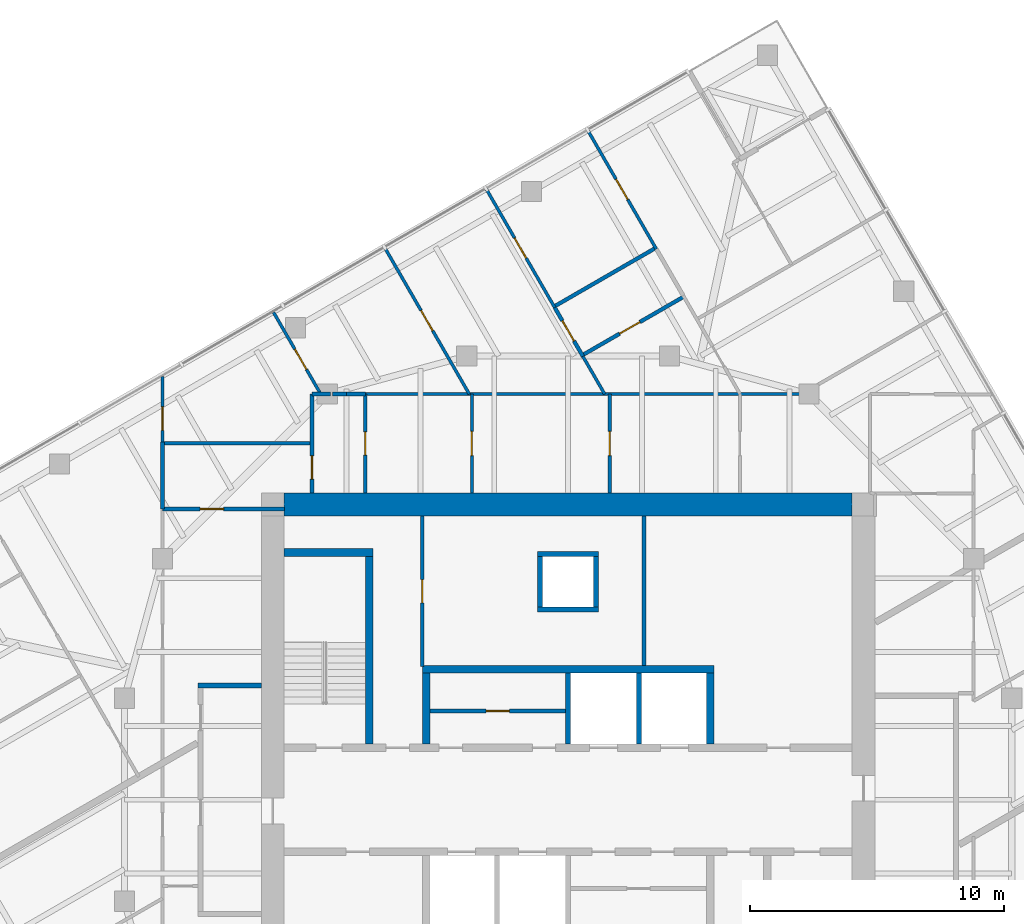
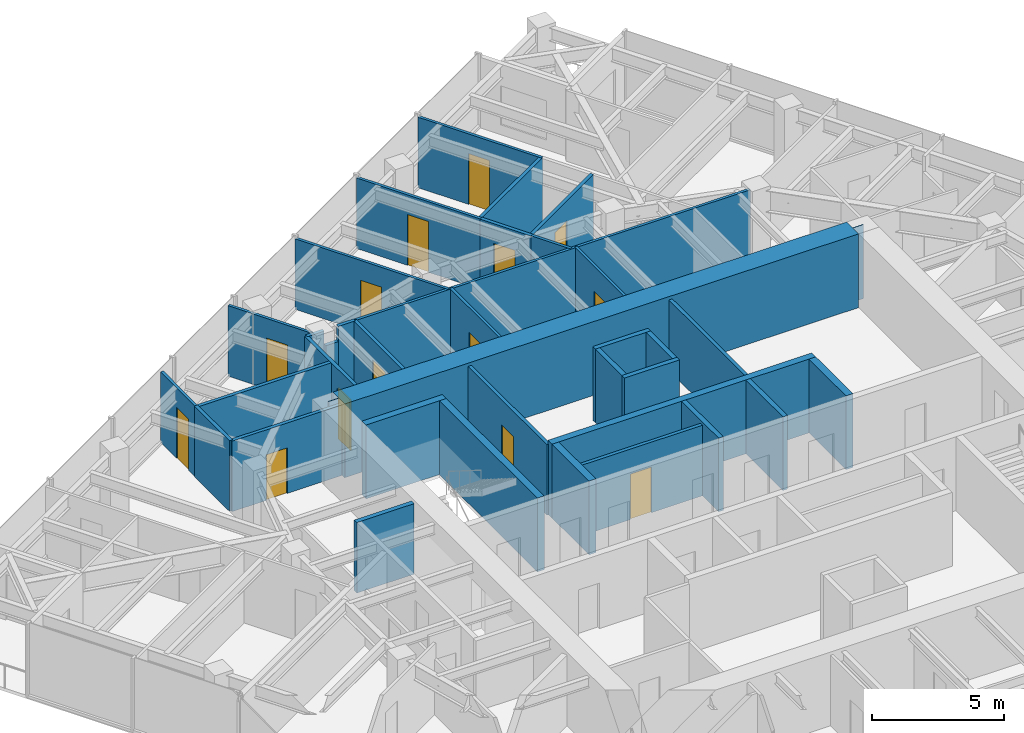
# One storey, part 10 of 12: 36 walls, 14 doors, 14 openings.
"""IFC4 building model written with IfcOpenShell, lengths in metres."""

import ifcopenshell
import ifcopenshell.guid

model = None  # the IFC model being written
_history = None  # IfcOwnerHistory: only IFC2X3 demands one
_inside = {}  # id of a spatial element -> (the spatial element, [elements in it])
_under = {}  # id of a project, library or spatial element -> (it, [spatial elements below it])
_declared = {}  # id of a project -> (the project, [libraries it declares])
_typed = {}  # id of a type object -> (the type object, [elements of that type])
_made_of = {}  # id of a material, layer set ... -> (it, [elements and type objects made of it])


def new_model(schema):
    """Start an empty IFC model of exactly this schema.

    Asked for "IFC4X3", IfcOpenShell would pick the latest addendum, in which some entities
    have other attributes; the version numbers below select the first issue.
    IFC2X3 requires an IfcOwnerHistory on every rooted entity: one is made here for all.
    """
    global model, _history
    if schema == "IFC4X3":
        model = ifcopenshell.file(schema_version=(4, 3, 0, 0))
    else:
        model = ifcopenshell.file(schema=schema)
    _inside.clear()
    _under.clear()
    _declared.clear()
    _typed.clear()
    _made_of.clear()
    _history = None
    if model.schema == "IFC2X3":
        org = make("IfcOrganization", Name="unknown")
        user = make(
            "IfcPersonAndOrganization",
            ThePerson=make("IfcPerson", FamilyName="unknown"),
            TheOrganization=org,
        )
        app = make(
            "IfcApplication",
            ApplicationDeveloper=org,
            Version="unknown",
            ApplicationFullName="unknown",
            ApplicationIdentifier="unknown",
        )
        _history = make(
            "IfcOwnerHistory",
            OwningUser=user,
            OwningApplication=app,
            ChangeAction="ADDED",
            CreationDate=0,
        )
    return model


def make(cls, **values):
    """One entity of the class cls with the attributes given. An attribute that is None is left unset."""
    return model.create_entity(
        cls, **{name: value for name, value in values.items() if value is not None}
    )


def rooted(cls, **values):
    """An entity with a GlobalId (a new one), such as an element, a storey or a relation."""
    return make(cls, GlobalId=ifcopenshell.guid.new(), OwnerHistory=_history, **values)


def si_unit(unit_type, name, prefix=None):
    """IfcSIUnit, for example si_unit("LENGTHUNIT", "METRE", prefix="MILLI")."""
    return make("IfcSIUnit", UnitType=unit_type, Prefix=prefix, Name=name)


def assignment(units):
    """IfcUnitAssignment: the units of a project."""
    return None if units is None else make("IfcUnitAssignment", Units=units)


def point(xyz):
    """IfcCartesianPoint."""
    return None if xyz is None else make("IfcCartesianPoint", Coordinates=xyz)


def direction(xyz):
    """IfcDirection."""
    return None if xyz is None else make("IfcDirection", DirectionRatios=xyz)


def frame(location, z_axis=None, x_axis=None):
    """IfcAxis2Placement3D, a coordinate frame: its origin and axes. An axis left out is left unset."""
    return make(
        "IfcAxis2Placement3D",
        Location=point(location),
        Axis=direction(z_axis),
        RefDirection=direction(x_axis),
    )


def frame_2d(location, x_axis=None):
    """IfcAxis2Placement2D, a coordinate frame in the plane: its origin and x axis."""
    return make(
        "IfcAxis2Placement2D", Location=point(location), RefDirection=direction(x_axis)
    )


def origin():
    """The frame at (0, 0, 0) with its axes left unset."""
    return frame((0.0, 0.0, 0.0))


def place(relative_to, where):
    """IfcLocalPlacement: puts the frame where relative to a parent placement (None: the world)."""
    return make(
        "IfcLocalPlacement", PlacementRelTo=relative_to, RelativePlacement=where
    )


def context(
    kind, dimensions, precision=None, world=None, true_north=None, identifier=None
):
    """IfcGeometricRepresentationContext, for example the 3D "Model" context."""
    return make(
        "IfcGeometricRepresentationContext",
        ContextIdentifier=identifier,
        ContextType=kind,
        CoordinateSpaceDimension=dimensions,
        Precision=precision,
        WorldCoordinateSystem=world,
        TrueNorth=true_north,
    )


def subcontext(parent, identifier, kind, view, scale=None):
    """IfcGeometricRepresentationSubContext, for example "Body" below "Model"."""
    return make(
        "IfcGeometricRepresentationSubContext",
        ContextIdentifier=identifier,
        ContextType=kind,
        ParentContext=parent,
        TargetScale=scale,
        TargetView=view,
    )


def project(units=None, contexts=None):
    """IfcProject with its units and contexts."""
    return rooted(
        "IfcProject",
        Name="project",
        RepresentationContexts=contexts,
        UnitsInContext=assignment(units),
    )


def spatial(cls, under=None, at=None, **own):
    """A site, building, storey or space (cls), placed at a placement, below another one or the project."""
    s = rooted(cls, ObjectPlacement=at, **own)
    if under is not None:
        _under.setdefault(under.id(), (under, []))[1].append(s)
    return s


def polyline(points):
    """IfcPolyline through the points."""
    return make("IfcPolyline", Points=[point(p) for p in points])


def profile(cls, at=None, kind="AREA", **sizes):
    """A parametric profile (cls). Its sizes go by their IFC names, for example OverallWidth=200.0."""
    return make(cls, ProfileType=kind, Position=at, **sizes)


def rectangle(**sizes):
    """IfcRectangleProfileDef."""
    return profile("IfcRectangleProfileDef", **sizes)


def outline(outer, holes=None, kind="AREA"):
    """IfcArbitraryClosedProfileDef: a profile drawn as a closed curve; with holes, ...WithVoids."""
    if holes is None:
        return make("IfcArbitraryClosedProfileDef", ProfileType=kind, OuterCurve=outer)
    return make(
        "IfcArbitraryProfileDefWithVoids",
        ProfileType=kind,
        OuterCurve=outer,
        InnerCurves=holes,
    )


def extrude(swept, where, along, depth):
    """IfcExtrudedAreaSolid: the profile swept, set in the frame where, extruded along a direction by depth."""
    return make(
        "IfcExtrudedAreaSolid",
        SweptArea=swept,
        Position=where,
        ExtrudedDirection=direction(along),
        Depth=depth,
    )


def shape(context_of_items, identifier, shape_type, items):
    """IfcShapeRepresentation: the items that make up one representation, for example the "Body"."""
    return make(
        "IfcShapeRepresentation",
        ContextOfItems=context_of_items,
        RepresentationIdentifier=identifier,
        RepresentationType=shape_type,
        Items=items,
    )


def material(Name=None, Category=None):
    """IfcMaterial."""
    return make("IfcMaterial", Name=Name, Category=Category)


def layer(
    of_material, thickness, ventilated=None, Name=None, Category=None, Priority=None
):
    """IfcMaterialLayer: one layer of a wall or slab, of a material (None: an air gap)."""
    return make(
        "IfcMaterialLayer",
        Material=of_material,
        LayerThickness=thickness,
        IsVentilated=ventilated,
        Name=Name,
        Category=Category,
        Priority=Priority,
    )


def layer_set(layers, Name=None):
    """IfcMaterialLayerSet."""
    return make("IfcMaterialLayerSet", MaterialLayers=layers, LayerSetName=Name)


def made_of(thing, what):
    """Note that an element or type object is made of a material, layer set ...; save() writes the relation."""
    if what is not None:
        _made_of.setdefault(what.id(), (what, []))[1].append(thing)
    return thing


def type_object(cls, material=None, **own):
    """A type object (cls), such as IfcWallType, which elements share."""
    return made_of(rooted(cls, **own), material)


def element(
    cls,
    number,
    at=None,
    inside=None,
    cuts=None,
    type_object=None,
    material=None,
    context=None,
    identifier="Body",
    shape_type=None,
    held_by="IfcProductDefinitionShape",
    body=None,
    shapes=None,
    **own,
):
    """One element of the class cls, such as IfcWall. Its Tag is "e" and its number.

    at: its placement. inside: the storey or other place that contains it. cuts: it is an
    opening in that element (IfcRelVoidsElement). A single representation is given by context,
    identifier, shape_type and body (its items); several are given by shapes. held_by: the class
    of the entity that holds the representations. save() writes the other relations.
    """
    e = rooted(cls, Tag="e%d" % number, ObjectPlacement=at, **own)
    if body is not None:
        shapes = [shape(context, identifier, shape_type, body)]
    if shapes is not None:
        e.Representation = make(held_by, Representations=shapes)
    if inside is not None:
        _inside.setdefault(inside.id(), (inside, []))[1].append(e)
    if cuts is not None:
        rooted(
            "IfcRelVoidsElement", RelatingBuildingElement=cuts, RelatedOpeningElement=e
        )
    if type_object is not None:
        _typed.setdefault(type_object.id(), (type_object, []))[1].append(e)
    return made_of(e, material)


def fill(opening, filler):
    """IfcRelFillsElement: the door or window that sits in an opening."""
    return rooted(
        "IfcRelFillsElement",
        RelatingOpeningElement=opening,
        RelatedBuildingElement=filler,
    )


def aggregate(whole, parts):
    """IfcRelAggregates: a whole, such as a stair, and the parts it consists of."""
    return rooted("IfcRelAggregates", RelatingObject=whole, RelatedObjects=parts)


def save(model, path):
    """Write the relations noted so far, then the file.

    IfcRelAggregates (storeys below a building ...), IfcRelContainedInSpatialStructure (elements
    in a storey), IfcRelDefinesByType, IfcRelAssociatesMaterial and IfcRelDeclares: one each for
    every whole, place, type object, material and project.
    """
    for whole, parts in _under.values():
        aggregate(whole, parts)
    for where, things in _inside.values():
        rooted(
            "IfcRelContainedInSpatialStructure",
            RelatedElements=things,
            RelatingStructure=where,
        )
    for kind, things in _typed.values():
        rooted("IfcRelDefinesByType", RelatedObjects=things, RelatingType=kind)
    for what, things in _made_of.values():
        rooted("IfcRelAssociatesMaterial", RelatedObjects=things, RelatingMaterial=what)
    for by, libraries in _declared.values():
        rooted("IfcRelDeclares", RelatingContext=by, RelatedDefinitions=libraries)
    model.write(path)


model = new_model("IFC4")

# Units and contexts
model_context = context("Model", 3, precision=1e-05, world=origin(), true_north=direction((0.0, 1.0)))
body_context = subcontext(model_context, "Body", "Model", "MODEL_VIEW")
ifc_project = project(units=[si_unit("LENGTHUNIT", "METRE"), si_unit("AREAUNIT", "SQUARE_METRE"), si_unit("VOLUMEUNIT", "CUBIC_METRE"), si_unit("PLANEANGLEUNIT", "RADIAN"), si_unit("MASSUNIT", "GRAM", prefix="KILO")], contexts=[model_context])

# Site, building, storey
site_placement = place(None, origin())
site = spatial("IfcSite", under=ifc_project, at=site_placement, CompositionType="ELEMENT")
building_placement = place(site_placement, origin())
building = spatial("IfcBuilding", under=site, at=building_placement, Name="Torsade Residences", CompositionType="ELEMENT")
storey_placement = place(building_placement, frame((0.0, 0.0, 221.800048828125)))
storey = spatial("IfcBuildingStorey", under=building, at=storey_placement, Name="L61", CompositionType="ELEMENT", Elevation=221.800048828125)

# Walls
ifc_material_1 = material(Name="Concrete 80 MPa", Category="concrete")
ifc_layer_1 = layer(ifc_material_1, 0.300048828125)
ifc_layer_set_1 = layer_set([ifc_layer_1], Name="Concrete 80 MPa")
wall_type_1 = type_object("IfcWallType", Name="CORE INTERNAL WALL 300", PredefinedType="SHEAR", material=ifc_layer_set_1)
wall_1_placement = place(storey_placement, frame((34.25, 35.14990234375, 0.0), z_axis=(0.0, 0.0, 1.0), x_axis=(1.0, 0.0, 0.0)))
element("IfcWall", 1, at=wall_1_placement, inside=storey, type_object=wall_type_1, Name="Core wall BN L61", PredefinedType="SHEAR", context=body_context, shape_type="SweptSolid", body=[
    extrude(rectangle(XDim=11.5, YDim=0.300048828125, at=frame_2d((5.75, 0.0))), origin(), (0.0, 0.0, 1.0), 3.39990234375),
])
for number, where, z_axis, x_axis, name in (
    (2, (34.39990234375, 32.199951171875, 0.0), (0.0, 0.0, 1.0), (0.0, 1.0, 0.0), "Core wall DN0 L61"),
    (3, (45.60009765625, 32.199951171875, 0.0), (0.0, 0.0, 1.0), (0.0, 1.0, 0.0), "Core wall DN4 L61"),
):
    element("IfcWall", number, at=place(storey_placement, frame(where, z_axis=z_axis, x_axis=x_axis)), inside=storey, type_object=wall_type_1, Name=name, PredefinedType="SHEAR", context=body_context, shape_type="SweptSolid", body=[
        extrude(rectangle(XDim=2.800048828125, YDim=0.300048828125, at=frame_2d((1.39990234375, 0.0))), origin(), (0.0, 0.0, 1.0), 3.39990234375),
    ])
wall_2_placement = place(storey_placement, frame((32.14990234375, 32.199951171875, 0.0), z_axis=(0.0, 0.0, 1.0), x_axis=(0.0, 1.0, 0.0)))
element("IfcWall", 4, at=wall_2_placement, inside=storey, type_object=wall_type_1, Name="Core wall ST1E L61", PredefinedType="SHEAR", context=body_context, shape_type="SweptSolid", body=[
    extrude(rectangle(XDim=7.699951171875, YDim=0.300048828125, at=frame_2d((3.85009765625, 0.0))), origin(), (0.0, 0.0, 1.0), 3.39990234375),
])
wall_3_placement = place(storey_placement, frame((28.800048828125, 39.75, 0.0), z_axis=(0.0, 0.0, 1.0), x_axis=(1.0, 0.0, 0.0)))
element("IfcWall", 5, at=wall_3_placement, inside=storey, type_object=wall_type_1, Name="Core wall ST1N L61", PredefinedType="SHEAR", context=body_context, shape_type="SweptSolid", body=[
    extrude(rectangle(XDim=3.5, YDim=0.300048828125, at=frame_2d((1.75, 0.0))), origin(), (0.0, 0.0, 1.0), 3.39990234375),
])
ifc_material_2 = material(Name="Concrete 80 MPa", Category="concrete")
ifc_layer_2 = layer(ifc_material_2, 0.89990234375)
ifc_layer_set_2 = layer_set([ifc_layer_2], Name="Concrete 80 MPa")
wall_type_2 = type_object("IfcWallType", Name="CORE WALL 900", PredefinedType="SHEAR", material=ifc_layer_set_2)
wall_4_placement = place(storey_placement, frame((28.800048828125, 41.64990234375, 0.0), z_axis=(0.0, 0.0, 1.0), x_axis=(1.0, 0.0, 0.0)))
element("IfcWall", 6, at=wall_4_placement, inside=storey, type_object=wall_type_2, Name="Core wall N L61", PredefinedType="SHEAR", context=body_context, shape_type="SweptSolid", body=[
    extrude(outline(polyline([(0.0, -0.449951171875), (22.39990234375, -0.449951171875), (22.39990234375, -0.02490234375), (22.849853515625, -0.02490234375), (22.849853515625, 0.02490234375), (22.39990234375, 0.02490234375), (22.39990234375, 0.449951171875), (0.0, 0.449951171875), (0.0, 0.02490234375), (-0.449951171875, 0.02490234375), (-0.449951171875, -0.02490234375), (0.0, -0.02490234375), (0.0, -0.449951171875)])), origin(), (0.0, 0.0, 1.0), 3.39990234375),
])
ifc_material_3 = material(Name="Plasterboard on steel stud", Category="steel")
ifc_layer_3 = layer(ifc_material_3, 0.199951171875)
ifc_layer_set_3 = layer_set([ifc_layer_3], Name="Plasterboard on steel stud")
wall_type_3 = type_object("IfcWallType", Name="CORRIDOR WALL 200", PredefinedType="PARTITIONING", material=ifc_layer_set_3)
wall_5_placement = place(storey_placement, frame((27.89990234375, 34.5, 0.0), z_axis=(0.0, 0.0, 1.0), x_axis=(-1.0, 0.0, 0.0)))
element("IfcWall", 7, at=wall_5_placement, inside=storey, type_object=wall_type_3, Name="Corridor wall L61", PredefinedType="PARTITIONING", context=body_context, shape_type="SweptSolid", body=[
    extrude(rectangle(XDim=2.5, YDim=0.199951171875, at=frame_2d((1.25, 0.0))), origin(), (0.0, 0.0, 1.0), 3.25),
])
ifc_material_4 = material(Name="Reinforced blockwork", Category="masonry")
ifc_layer_4 = layer(ifc_material_4, 0.199951171875)
ifc_layer_set_4 = layer_set([ifc_layer_4], Name="Reinforced blockwork")
wall_type_4 = type_object("IfcWallType", Name="LIFT SHAFT DIVIDING WALL 200", PredefinedType="SOLIDWALL", material=ifc_layer_set_4)
for number, where, z_axis, x_axis, name in (
    (8, (40.0, 32.199951171875, 0.0), (0.0, 0.0, 1.0), (0.0, 1.0, 0.0), "Core wall DN2 L61"),
    (9, (42.800048828125, 32.199951171875, 0.0), (0.0, 0.0, 1.0), (0.0, 1.0, 0.0), "Core wall DN3 L61"),
):
    element("IfcWall", number, at=place(storey_placement, frame(where, z_axis=z_axis, x_axis=x_axis)), inside=storey, type_object=wall_type_4, Name=name, PredefinedType="SOLIDWALL", context=body_context, shape_type="SweptSolid", body=[
        extrude(rectangle(XDim=2.800048828125, YDim=0.199951171875, at=frame_2d((1.39990234375, 0.0))), origin(), (0.0, 0.0, 1.0), 3.39990234375),
    ])

# Wall, opening, door
ifc_material_5 = material(Name="Plasterboard on steel stud", Category="steel")
ifc_layer_5 = layer(ifc_material_5, 0.1201171875)
ifc_layer_set_5 = layer_set([ifc_layer_5], Name="Plasterboard on steel stud")
wall_type_5 = type_object("IfcWallType", Name="PARTITION 120", PredefinedType="PARTITIONING", material=ifc_layer_set_5)
wall_6_placement = place(storey_placement, frame((24.000244140625, 44.114501953125, 0.0), z_axis=(0.0, 0.0, 1.0), x_axis=(0.003773202081, 0.999992881448, 0.0)))
wall_6 = element("IfcWall", 10, at=wall_6_placement, inside=storey, type_object=wall_type_5, Name="Partition L61", PredefinedType="PARTITIONING", context=body_context, shape_type="SweptSolid", body=[
    extrude(rectangle(XDim=2.588134765625, YDim=0.1201171875, at=frame_2d((1.2939453125, 0.0))), origin(), (0.0, 0.0, 1.0), 3.25),
])
opening_1_placement = place(wall_6_placement, frame((0.457763671875, 0.0, 0.0)))
opening_1 = element("IfcOpeningElement", 11, at=opening_1_placement, cuts=wall_6, Name="Opening D02", PredefinedType="OPENING", context=body_context, shape_type="SweptSolid", body=[
    extrude(rectangle(XDim=0.919921875, YDim=2.340087890625, at=frame_2d((0.4599609375, 1.169921875))), frame((0.0, 0.070068359375, 0.0), z_axis=(0.0, -1.0, 0.0), x_axis=(1.0, 0.0, 0.0)), (0.0, 0.0, 1.0), 0.14013671875),
])
ifc_material_6 = material(Name="Hollow-core timber door", Category="wood")
door_type_1 = type_object("IfcDoorType", Name="INTERNAL DOOR 920x2340", OperationType="NOTDEFINED", PredefinedType="DOOR", material=ifc_material_6)
door_1_placement = place(opening_1_placement, origin())
door_1 = element("IfcDoor", 12, at=door_1_placement, inside=storey, type_object=door_type_1, Name="Door Living room to Scullery", OperationType="SINGLE_SWING_LEFT", OverallHeight=2.340087890625, OverallWidth=0.919921875, PredefinedType="DOOR", context=body_context, shape_type="SweptSolid", body=[
    extrude(rectangle(XDim=0.919921875, YDim=2.340087890625, at=frame_2d((0.4599609375, 1.169921875))), frame((0.0, 0.02490234375, 0.0), z_axis=(0.0, -1.0, 0.0), x_axis=(1.0, 0.0, 0.0)), (0.0, 0.0, 1.0), 0.050048828125),
])
fill(opening_1, door_1)

wall_7_placement = place(storey_placement, frame((28.38037109375, 49.225830078125, 0.0), z_axis=(0.0, 0.0, 1.0), x_axis=(0.499973989716, -0.866040420308, 0.0)))
wall_7 = element("IfcWall", 13, at=wall_7_placement, inside=storey, type_object=wall_type_5, Name="Partition L61", PredefinedType="PARTITIONING", context=body_context, shape_type="SweptSolid", body=[
    extrude(rectangle(XDim=3.724853515625, YDim=0.1201171875, at=frame_2d((1.8623046875, 0.0))), origin(), (0.0, 0.0, 1.0), 3.25),
])
opening_2_placement = place(wall_7_placement, frame((1.682373046875, 0.0, 0.0)))
opening_2 = element("IfcOpeningElement", 14, at=opening_2_placement, cuts=wall_7, Name="Opening D02", PredefinedType="OPENING", context=body_context, shape_type="SweptSolid", body=[
    extrude(rectangle(XDim=0.919921875, YDim=2.340087890625, at=frame_2d((0.4599609375, 1.169921875))), frame((0.0, 0.070068359375, 0.0), z_axis=(0.0, -1.0, 0.0), x_axis=(1.0, 0.0, 0.0)), (0.0, 0.0, 1.0), 0.14013671875),
])
door_2_placement = place(opening_2_placement, origin())
door_2 = element("IfcDoor", 15, at=door_2_placement, inside=storey, type_object=door_type_1, Name="Door Scullery to Media room", OperationType="SINGLE_SWING_LEFT", OverallHeight=2.340087890625, OverallWidth=0.919921875, PredefinedType="DOOR", context=body_context, shape_type="SweptSolid", body=[
    extrude(rectangle(XDim=0.919921875, YDim=2.340087890625, at=frame_2d((0.4599609375, 1.169921875))), frame((0.0, 0.02490234375, 0.0), z_axis=(0.0, -1.0, 0.0), x_axis=(1.0, 0.0, 0.0)), (0.0, 0.0, 1.0), 0.050048828125),
])
fill(opening_2, door_2)

wall_8_placement = place(storey_placement, frame((36.204345703125, 46.0, 0.0), z_axis=(0.0, 0.0, 1.0), x_axis=(0.0, -1.0, 0.0)))
wall_8 = element("IfcWall", 16, at=wall_8_placement, inside=storey, type_object=wall_type_5, Name="Partition L61", PredefinedType="PARTITIONING", context=body_context, shape_type="SweptSolid", body=[
    extrude(rectangle(XDim=3.89990234375, YDim=0.1201171875, at=frame_2d((1.949951171875, 0.0))), origin(), (0.0, 0.0, 1.0), 3.25),
])
opening_3_placement = place(wall_8_placement, frame((1.469970703125, 0.0, 0.0)))
opening_3 = element("IfcOpeningElement", 17, at=opening_3_placement, cuts=wall_8, Name="Opening D05", PredefinedType="OPENING", context=body_context, shape_type="SweptSolid", body=[
    extrude(rectangle(XDim=0.9599609375, YDim=2.10009765625, at=frame_2d((0.47998046875, 1.050048828125))), frame((0.0, 0.070068359375, 0.0), z_axis=(0.0, -1.0, 0.0), x_axis=(1.0, 0.0, 0.0)), (0.0, 0.0, 1.0), 0.14013671875),
])
ifc_material_7 = material(Name="Hollow-core timber door in a steel cavity frame", Category="steel")
door_type_2 = type_object("IfcDoorType", Name="BATHROOM CAVITY SLIDING DOOR 960", OperationType="SLIDING_TO_LEFT", PredefinedType="DOOR", material=ifc_material_7)
door_3_placement = place(opening_3_placement, origin())
door_3 = element("IfcDoor", 18, at=door_3_placement, inside=storey, type_object=door_type_2, Name="Door Pantry to Laundry", OperationType="SLIDING_TO_LEFT", OverallHeight=2.10009765625, OverallWidth=0.9599609375, PredefinedType="DOOR", context=body_context, shape_type="SweptSolid", body=[
    extrude(rectangle(XDim=0.9599609375, YDim=2.10009765625, at=frame_2d((0.47998046875, 1.050048828125))), frame((0.0, 0.02490234375, 0.0), z_axis=(0.0, -1.0, 0.0), x_axis=(1.0, 0.0, 0.0)), (0.0, 0.0, 1.0), 0.050048828125),
])
fill(opening_3, door_3)

# Wall
wall_9_placement = place(storey_placement, frame((31.99951171875, 46.0, 0.0), z_axis=(0.0, 0.0, 1.0), x_axis=(1.0, 0.0, 0.0)))
element("IfcWall", 19, at=wall_9_placement, inside=storey, type_object=wall_type_5, Name="Partition L61", PredefinedType="PARTITIONING", context=body_context, shape_type="SweptSolid", body=[
    extrude(rectangle(XDim=17.21337890625, YDim=0.1201171875, at=frame_2d((8.606689453125, 0.0))), origin(), (0.0, 0.0, 1.0), 3.25),
])

# Wall, opening, door
wall_10_placement = place(storey_placement, frame((41.6435546875, 42.10009765625, 0.0), z_axis=(0.0, 0.0, 1.0), x_axis=(0.0, 1.0, 0.0)))
wall_10 = element("IfcWall", 20, at=wall_10_placement, inside=storey, type_object=wall_type_5, Name="Partition L61", PredefinedType="PARTITIONING", context=body_context, shape_type="SweptSolid", body=[
    extrude(rectangle(XDim=3.89990234375, YDim=0.1201171875, at=frame_2d((1.949951171875, 0.0))), origin(), (0.0, 0.0, 1.0), 3.25),
])
opening_4_placement = place(wall_10_placement, frame((1.469970703125, 0.0, 0.0)))
opening_4 = element("IfcOpeningElement", 21, at=opening_4_placement, cuts=wall_10, Name="Opening D05", PredefinedType="OPENING", context=body_context, shape_type="SweptSolid", body=[
    extrude(rectangle(XDim=0.9599609375, YDim=2.10009765625, at=frame_2d((0.47998046875, 1.050048828125))), frame((0.0, 0.070068359375, 0.0), z_axis=(0.0, -1.0, 0.0), x_axis=(1.0, 0.0, 0.0)), (0.0, 0.0, 1.0), 0.14013671875),
])
door_4_placement = place(opening_4_placement, origin())
door_4 = element("IfcDoor", 22, at=door_4_placement, inside=storey, type_object=door_type_2, Name="Door Laundry to Ensuite", OperationType="SLIDING_TO_LEFT", OverallHeight=2.10009765625, OverallWidth=0.9599609375, PredefinedType="DOOR", context=body_context, shape_type="SweptSolid", body=[
    extrude(rectangle(XDim=0.9599609375, YDim=2.10009765625, at=frame_2d((0.47998046875, 1.050048828125))), frame((0.0, 0.02490234375, 0.0), z_axis=(0.0, -1.0, 0.0), x_axis=(1.0, 0.0, 0.0)), (0.0, 0.0, 1.0), 0.050048828125),
])
fill(opening_4, door_4)

wall_11_placement = place(storey_placement, frame((43.47998046875, 51.722412109375, 0.0), z_axis=(0.0, 0.0, 1.0), x_axis=(-0.499989180974, 0.866031650062, 0.0)))
wall_11 = element("IfcWall", 23, at=wall_11_placement, inside=storey, type_object=wall_type_5, Name="Partition L61", PredefinedType="PARTITIONING", context=body_context, shape_type="SweptSolid", body=[
    extrude(rectangle(XDim=5.3876953125, YDim=0.1201171875, at=frame_2d((2.69384765625, 0.0))), origin(), (0.0, 0.0, 1.0), 3.25),
])
opening_5_placement = place(wall_11_placement, frame((2.25390625, 0.0, 0.0)))
opening_5 = element("IfcOpeningElement", 24, at=opening_5_placement, cuts=wall_11, Name="Opening D02", PredefinedType="OPENING", context=body_context, shape_type="SweptSolid", body=[
    extrude(rectangle(XDim=0.919921875, YDim=2.340087890625, at=frame_2d((0.4599609375, 1.169921875))), frame((0.0, 0.070068359375, 0.0), z_axis=(0.0, -1.0, 0.0), x_axis=(1.0, 0.0, 0.0)), (0.0, 0.0, 1.0), 0.14013671875),
])
door_5_placement = place(opening_5_placement, origin())
door_5 = element("IfcDoor", 25, at=door_5_placement, inside=storey, type_object=door_type_1, Name="Door Family room to Bedroom 2", OperationType="SINGLE_SWING_LEFT", OverallHeight=2.340087890625, OverallWidth=0.919921875, PredefinedType="DOOR", context=body_context, shape_type="SweptSolid", body=[
    extrude(rectangle(XDim=0.919921875, YDim=2.340087890625, at=frame_2d((0.4599609375, 1.169921875))), frame((0.0, 0.02490234375, 0.0), z_axis=(0.0, -1.0, 0.0), x_axis=(1.0, 0.0, 0.0)), (0.0, 0.0, 1.0), 0.050048828125),
])
fill(opening_5, door_5)

wall_12_placement = place(storey_placement, frame((36.78076171875, 54.075927734375, 0.0), z_axis=(0.0, 0.0, 1.0), x_axis=(0.499989180974, -0.866031650062, 0.0)))
wall_12 = element("IfcWall", 26, at=wall_12_placement, inside=storey, type_object=wall_type_5, Name="Partition L61", PredefinedType="PARTITIONING", context=body_context, shape_type="SweptSolid", body=[
    extrude(rectangle(XDim=5.3876953125, YDim=0.1201171875, at=frame_2d((2.69384765625, 0.0))), origin(), (0.0, 0.0, 1.0), 3.25),
])
opening_6_placement = place(wall_12_placement, frame((2.214111328125, 0.0, 0.0)))
opening_6 = element("IfcOpeningElement", 27, at=opening_6_placement, cuts=wall_12, Name="Opening D02", PredefinedType="OPENING", context=body_context, shape_type="SweptSolid", body=[
    extrude(rectangle(XDim=0.919921875, YDim=2.340087890625, at=frame_2d((0.4599609375, 1.169921875))), frame((0.0, 0.070068359375, 0.0), z_axis=(0.0, -1.0, 0.0), x_axis=(1.0, 0.0, 0.0)), (0.0, 0.0, 1.0), 0.14013671875),
])
door_6_placement = place(opening_6_placement, origin())
door_6 = element("IfcDoor", 28, at=door_6_placement, inside=storey, type_object=door_type_1, Name="Door Study to Family room", OperationType="SINGLE_SWING_RIGHT", OverallHeight=2.340087890625, OverallWidth=0.919921875, PredefinedType="DOOR", context=body_context, shape_type="SweptSolid", body=[
    extrude(rectangle(XDim=0.919921875, YDim=2.340087890625, at=frame_2d((0.4599609375, 1.169921875))), frame((0.0, 0.02490234375, 0.0), z_axis=(0.0, -1.0, 0.0), x_axis=(1.0, 0.0, 0.0)), (0.0, 0.0, 1.0), 0.050048828125),
])
fill(opening_6, door_6)

wall_13_placement = place(storey_placement, frame((36.10302734375, 46.0, 0.0), z_axis=(0.0, 0.0, 1.0), x_axis=(-0.500013541994, 0.866017585169, 0.0)))
wall_13 = element("IfcWall", 29, at=wall_13_placement, inside=storey, type_object=wall_type_5, Name="Partition L61", PredefinedType="PARTITIONING", context=body_context, shape_type="SweptSolid", body=[
    extrude(rectangle(XDim=6.655029296875, YDim=0.1201171875, at=frame_2d((3.32763671875, 0.0))), origin(), (0.0, 0.0, 1.0), 3.25),
])
opening_7_placement = place(wall_13_placement, frame((2.887451171875, 0.0, 0.0)))
opening_7 = element("IfcOpeningElement", 30, at=opening_7_placement, cuts=wall_13, Name="Opening D02", PredefinedType="OPENING", context=body_context, shape_type="SweptSolid", body=[
    extrude(rectangle(XDim=0.919921875, YDim=2.340087890625, at=frame_2d((0.4599609375, 1.169921875))), frame((0.0, 0.070068359375, 0.0), z_axis=(0.0, -1.0, 0.0), x_axis=(1.0, 0.0, 0.0)), (0.0, 0.0, 1.0), 0.14013671875),
])
door_7_placement = place(opening_7_placement, origin())
door_7 = element("IfcDoor", 31, at=door_7_placement, inside=storey, type_object=door_type_1, Name="Door Media room to Study", OperationType="SINGLE_SWING_LEFT", OverallHeight=2.340087890625, OverallWidth=0.919921875, PredefinedType="DOOR", context=body_context, shape_type="SweptSolid", body=[
    extrude(rectangle(XDim=0.919921875, YDim=2.340087890625, at=frame_2d((0.4599609375, 1.169921875))), frame((0.0, 0.02490234375, 0.0), z_axis=(0.0, -1.0, 0.0), x_axis=(1.0, 0.0, 0.0)), (0.0, 0.0, 1.0), 0.050048828125),
])
fill(opening_7, door_7)

# Walls
wall_14_placement = place(storey_placement, frame((40.584228515625, 47.488037109375, 0.0), z_axis=(0.0, 0.0, 1.0), x_axis=(0.500005339912, -0.866022320763, 0.0)))
element("IfcWall", 32, at=wall_14_placement, inside=storey, type_object=wall_type_5, Name="Partition L61", PredefinedType="PARTITIONING", context=body_context, shape_type="SweptSolid", body=[
    extrude(rectangle(XDim=1.71826171875, YDim=0.1201171875, at=frame_2d((0.859130859375, 0.0))), origin(), (0.0, 0.0, 1.0), 3.25),
])
ifc_material_8 = material(Name="Reinforced blockwork", Category="masonry")
ifc_layer_6 = layer(ifc_material_8, 0.199951171875)
ifc_layer_set_6 = layer_set([ifc_layer_6], Name="Reinforced blockwork")
wall_type_6 = type_object("IfcWallType", Name="RISER SHAFT WALL 200", PredefinedType="SOLIDWALL", material=ifc_layer_set_6)
for number, where, z_axis, x_axis, name in (
    (33, (38.89990234375, 37.60009765625, 0.0), (0.0, 0.0, 1.0), (0.0, 1.0, 0.0), "Core wall RS1a L61"),
    (34, (41.10009765625, 37.60009765625, 0.0), (0.0, 0.0, 1.0), (0.0, 1.0, 0.0), "Core wall RS1b L61"),
):
    element("IfcWall", number, at=place(storey_placement, frame(where, z_axis=z_axis, x_axis=x_axis)), inside=storey, type_object=wall_type_6, Name=name, PredefinedType="SOLIDWALL", context=body_context, shape_type="SweptSolid", body=[
        extrude(rectangle(XDim=2.0, YDim=0.199951171875, at=frame_2d((1.0, 0.0))), origin(), (0.0, 0.0, 1.0), 3.39990234375),
    ])
for number, where, z_axis, x_axis, name in (
    (35, (38.800048828125, 37.5, 0.0), (0.0, 0.0, 1.0), (1.0, 0.0, 0.0), "Core wall RS1c L61"),
    (36, (38.800048828125, 39.699951171875, 0.0), (0.0, 0.0, 1.0), (1.0, 0.0, 0.0), "Core wall RS1d L61"),
):
    element("IfcWall", number, at=place(storey_placement, frame(where, z_axis=z_axis, x_axis=x_axis)), inside=storey, type_object=wall_type_6, Name=name, PredefinedType="SOLIDWALL", context=body_context, shape_type="SweptSolid", body=[
        extrude(rectangle(XDim=2.39990234375, YDim=0.199951171875, at=frame_2d((1.199951171875, 0.0))), origin(), (0.0, 0.0, 1.0), 3.39990234375),
    ])

# Wall, opening, door
ifc_material_9 = material(Name="Reinforced blockwork", Category="masonry")
ifc_layer_7 = layer(ifc_material_9, 0.14990234375)
ifc_layer_set_7 = layer_set([ifc_layer_7], Name="Reinforced blockwork")
wall_type_7 = type_object("IfcWallType", Name="SERVICE ROOM WALL 150", PredefinedType="SOLIDWALL", material=ifc_layer_set_7)
wall_15_placement = place(storey_placement, frame((34.25, 41.199951171875, 0.0), z_axis=(0.0, 0.0, 1.0), x_axis=(0.0, -1.0, 0.0)))
wall_15 = element("IfcWall", 37, at=wall_15_placement, inside=storey, type_object=wall_type_7, Name="Service room wall L61", PredefinedType="SOLIDWALL", context=body_context, shape_type="SweptSolid", body=[
    extrude(rectangle(XDim=5.949951171875, YDim=0.14990234375, at=frame_2d((2.97509765625, 0.0))), origin(), (0.0, 0.0, 1.0), 3.25),
])
opening_8_placement = place(wall_15_placement, frame((2.514892578125, 0.0, 0.0)))
opening_8 = element("IfcOpeningElement", 38, at=opening_8_placement, cuts=wall_15, Name="Opening D06", PredefinedType="OPENING", context=body_context, shape_type="SweptSolid", body=[
    extrude(rectangle(XDim=0.919921875, YDim=2.10009765625, at=frame_2d((0.4599609375, 1.050048828125))), frame((0.0, 0.0849609375, 0.0), z_axis=(0.0, -1.0, 0.0), x_axis=(1.0, 0.0, 0.0)), (0.0, 0.0, 1.0), 0.169921875),
])
ifc_material_10 = material(Name="Steel-framed fire door", Category="steel")
door_type_3 = type_object("IfcDoorType", Name="FIRE DOOR 920", OperationType="NOTDEFINED", PredefinedType="DOOR", material=ifc_material_10)
door_8_placement = place(opening_8_placement, origin())
door_8 = element("IfcDoor", 39, at=door_8_placement, inside=storey, type_object=door_type_3, Name="Door Meter store to Electrical riser room", OperationType="SINGLE_SWING_LEFT", OverallHeight=2.10009765625, OverallWidth=0.919921875, PredefinedType="DOOR", context=body_context, shape_type="SweptSolid", body=[
    extrude(rectangle(XDim=0.919921875, YDim=2.10009765625, at=frame_2d((0.4599609375, 1.050048828125))), frame((0.0, 0.02490234375, 0.0), z_axis=(0.0, -1.0, 0.0), x_axis=(1.0, 0.0, 0.0)), (0.0, 0.0, 1.0), 0.050048828125),
])
fill(opening_8, door_8)

# Wall
wall_16_placement = place(storey_placement, frame((43.0, 41.199951171875, 0.0), z_axis=(0.0, 0.0, 1.0), x_axis=(0.0, -1.0, 0.0)))
element("IfcWall", 40, at=wall_16_placement, inside=storey, type_object=wall_type_7, Name="Service room wall L61", PredefinedType="SOLIDWALL", context=body_context, shape_type="SweptSolid", body=[
    extrude(rectangle(XDim=5.89990234375, YDim=0.14990234375, at=frame_2d((2.949951171875, 0.0))), origin(), (0.0, 0.0, 1.0), 3.25),
])

# Wall, opening, door
wall_17_placement = place(storey_placement, frame((24.0, 41.466552734375, 0.0), z_axis=(0.0, 0.0, 1.0), x_axis=(1.0, 0.0, 0.0)))
wall_17 = element("IfcWall", 41, at=wall_17_placement, inside=storey, type_object=wall_type_7, Name="Service room wall L61", PredefinedType="SOLIDWALL", context=body_context, shape_type="SweptSolid", body=[
    extrude(rectangle(XDim=4.820068359375, YDim=0.14990234375, at=frame_2d((2.41015625, 0.0))), origin(), (0.0, 0.0, 1.0), 3.25),
])
opening_9_placement = place(wall_17_placement, frame((1.489990234375, 0.0, 0.0)))
opening_9 = element("IfcOpeningElement", 42, at=opening_9_placement, cuts=wall_17, Name="Opening D02L", PredefinedType="OPENING", context=body_context, shape_type="SweptSolid", body=[
    extrude(rectangle(XDim=0.919921875, YDim=2.10009765625, at=frame_2d((0.4599609375, 1.050048828125))), frame((0.0, 0.0849609375, 0.0), z_axis=(0.0, -1.0, 0.0), x_axis=(1.0, 0.0, 0.0)), (0.0, 0.0, 1.0), 0.169921875),
])
ifc_material_11 = material(Name="Hollow-core timber door", Category="wood")
door_type_4 = type_object("IfcDoorType", Name="INTERNAL DOOR 920x2100", OperationType="NOTDEFINED", PredefinedType="DOOR", material=ifc_material_11)
door_9_placement = place(opening_9_placement, origin())
door_9 = element("IfcDoor", 43, at=door_9_placement, inside=storey, type_object=door_type_4, Name="Door Kitchen and dining to Linen store 3", OperationType="SINGLE_SWING_LEFT", OverallHeight=2.10009765625, OverallWidth=0.919921875, PredefinedType="DOOR", context=body_context, shape_type="SweptSolid", body=[
    extrude(rectangle(XDim=0.919921875, YDim=2.10009765625, at=frame_2d((0.4599609375, 1.050048828125))), frame((0.0, 0.02490234375, 0.0), z_axis=(0.0, -1.0, 0.0), x_axis=(1.0, 0.0, 0.0)), (0.0, 0.0, 1.0), 0.050048828125),
])
fill(opening_9, door_9)

# Wall
wall_18_placement = place(storey_placement, frame((30.632568359375, 46.0, 0.0), z_axis=(0.0, 0.0, 1.0), x_axis=(-1.0, 0.0, 0.0)))
element("IfcWall", 44, at=wall_18_placement, inside=storey, type_object=wall_type_7, Name="Service room wall L61", PredefinedType="SOLIDWALL", context=body_context, shape_type="SweptSolid", body=[
    extrude(rectangle(XDim=0.7353515625, YDim=0.14990234375, at=frame_2d((0.36767578125, 0.0))), origin(), (0.0, 0.0, 1.0), 3.25),
])

# Wall, opening, door
wall_19_placement = place(storey_placement, frame((29.897216796875, 46.0, 0.0), z_axis=(0.0, 0.0, 1.0), x_axis=(0.0, -1.0, 0.0)))
wall_19 = element("IfcWall", 45, at=wall_19_placement, inside=storey, type_object=wall_type_7, Name="Service room wall L61", PredefinedType="SOLIDWALL", context=body_context, shape_type="SweptSolid", body=[
    extrude(rectangle(XDim=3.89990234375, YDim=0.14990234375, at=frame_2d((1.949951171875, 0.0))), origin(), (0.0, 0.0, 1.0), 3.25),
])
opening_10_placement = place(wall_19_placement, frame((2.4326171875, 0.0, 0.0)))
opening_10 = element("IfcOpeningElement", 46, at=opening_10_placement, cuts=wall_19, Name="Opening D02", PredefinedType="OPENING", context=body_context, shape_type="SweptSolid", body=[
    extrude(rectangle(XDim=0.919921875, YDim=2.340087890625, at=frame_2d((0.4599609375, 1.169921875))), frame((0.0, 0.0849609375, 0.0), z_axis=(0.0, -1.0, 0.0), x_axis=(1.0, 0.0, 0.0)), (0.0, 0.0, 1.0), 0.169921875),
])
door_10_placement = place(opening_10_placement, origin())
door_10 = element("IfcDoor", 47, at=door_10_placement, inside=storey, type_object=door_type_1, Name="Door Linen store 3 to Linen store 2", OperationType="SINGLE_SWING_RIGHT", OverallHeight=2.340087890625, OverallWidth=0.919921875, PredefinedType="DOOR", context=body_context, shape_type="SweptSolid", body=[
    extrude(rectangle(XDim=0.919921875, YDim=2.340087890625, at=frame_2d((0.4599609375, 1.169921875))), frame((0.0, 0.02490234375, 0.0), z_axis=(0.0, -1.0, 0.0), x_axis=(1.0, 0.0, 0.0)), (0.0, 0.0, 1.0), 0.050048828125),
])
fill(opening_10, door_10)

# Wall
wall_20_placement = place(storey_placement, frame((29.897216796875, 44.064697265625, 0.0), z_axis=(0.0, 0.0, 1.0), x_axis=(-1.0, 0.0, 0.0)))
element("IfcWall", 48, at=wall_20_placement, inside=storey, type_object=wall_type_7, Name="Service room wall L61", PredefinedType="SOLIDWALL", context=body_context, shape_type="SweptSolid", body=[
    extrude(rectangle(XDim=5.897216796875, YDim=0.14990234375, at=frame_2d((2.94873046875, 0.0))), origin(), (0.0, 0.0, 1.0), 3.25),
])

# Wall, opening, door
wall_21_placement = place(storey_placement, frame((31.99951171875, 42.10009765625, 0.0), z_axis=(0.0, 0.0, 1.0), x_axis=(0.0, 1.0, 0.0)))
wall_21 = element("IfcWall", 49, at=wall_21_placement, inside=storey, type_object=wall_type_7, Name="Service room wall L61", PredefinedType="SOLIDWALL", context=body_context, shape_type="SweptSolid", body=[
    extrude(rectangle(XDim=3.89990234375, YDim=0.14990234375, at=frame_2d((1.949951171875, 0.0))), origin(), (0.0, 0.0, 1.0), 3.25),
])
opening_11_placement = place(wall_21_placement, frame((1.489990234375, 0.0, 0.0)))
opening_11 = element("IfcOpeningElement", 50, at=opening_11_placement, cuts=wall_21, Name="Opening D02", PredefinedType="OPENING", context=body_context, shape_type="SweptSolid", body=[
    extrude(rectangle(XDim=0.919921875, YDim=2.340087890625, at=frame_2d((0.4599609375, 1.169921875))), frame((0.0, 0.0849609375, 0.0), z_axis=(0.0, -1.0, 0.0), x_axis=(1.0, 0.0, 0.0)), (0.0, 0.0, 1.0), 0.169921875),
])
door_11_placement = place(opening_11_placement, origin())
door_11 = element("IfcDoor", 51, at=door_11_placement, inside=storey, type_object=door_type_1, Name="Door Linen store 2 to Pantry", OperationType="SINGLE_SWING_RIGHT", OverallHeight=2.340087890625, OverallWidth=0.919921875, PredefinedType="DOOR", context=body_context, shape_type="SweptSolid", body=[
    extrude(rectangle(XDim=0.919921875, YDim=2.340087890625, at=frame_2d((0.4599609375, 1.169921875))), frame((0.0, 0.02490234375, 0.0), z_axis=(0.0, -1.0, 0.0), x_axis=(1.0, 0.0, 0.0)), (0.0, 0.0, 1.0), 0.050048828125),
])
fill(opening_11, door_11)

# Wall
wall_22_placement = place(storey_placement, frame((24.0, 44.114501953125, 0.0), z_axis=(0.0, 0.0, 1.0), x_axis=(0.0, -1.0, 0.0)))
element("IfcWall", 52, at=wall_22_placement, inside=storey, type_object=wall_type_7, Name="Service room wall L61", PredefinedType="SOLIDWALL", context=body_context, shape_type="SweptSolid", body=[
    extrude(rectangle(XDim=2.64794921875, YDim=0.14990234375, at=frame_2d((1.323974609375, 0.0))), origin(), (0.0, 0.0, 1.0), 3.25),
])

# Wall, opening, door
wall_23_placement = place(storey_placement, frame((39.474609375, 49.409912109375, 0.0), z_axis=(0.0, 0.0, 1.0), x_axis=(0.500008142102, -0.866020702889, 0.0)))
wall_23 = element("IfcWall", 53, at=wall_23_placement, inside=storey, type_object=wall_type_7, Name="Service room wall L61", PredefinedType="SOLIDWALL", context=body_context, shape_type="SweptSolid", body=[
    extrude(rectangle(XDim=2.21923828125, YDim=0.14990234375, at=frame_2d((1.109619140625, 0.0))), origin(), (0.0, 0.0, 1.0), 3.25),
])
opening_12_placement = place(wall_23_placement, frame((0.599609375, 0.0, 0.0)))
opening_12 = element("IfcOpeningElement", 54, at=opening_12_placement, cuts=wall_23, Name="Opening D02", PredefinedType="OPENING", context=body_context, shape_type="SweptSolid", body=[
    extrude(rectangle(XDim=0.919921875, YDim=2.340087890625, at=frame_2d((0.4599609375, 1.169921875))), frame((0.0, 0.0849609375, 0.0), z_axis=(0.0, -1.0, 0.0), x_axis=(1.0, 0.0, 0.0)), (0.0, 0.0, 1.0), 0.169921875),
])
door_12_placement = place(opening_12_placement, origin())
door_12 = element("IfcDoor", 55, at=door_12_placement, inside=storey, type_object=door_type_1, Name="Door Study to Linen store", OperationType="SINGLE_SWING_LEFT", OverallHeight=2.340087890625, OverallWidth=0.919921875, PredefinedType="DOOR", context=body_context, shape_type="SweptSolid", body=[
    extrude(rectangle(XDim=0.919921875, YDim=2.340087890625, at=frame_2d((0.4599609375, 1.169921875))), frame((0.0, 0.02490234375, 0.0), z_axis=(0.0, -1.0, 0.0), x_axis=(1.0, 0.0, 0.0)), (0.0, 0.0, 1.0), 0.050048828125),
])
fill(opening_12, door_12)

# Walls
wall_24_placement = place(storey_placement, frame((43.455078125, 51.765625, 0.0), z_axis=(0.0, 0.0, 1.0), x_axis=(-0.866025598446, -0.499999662836, 0.0)))
element("IfcWall", 56, at=wall_24_placement, inside=storey, type_object=wall_type_7, Name="Service room wall L61", PredefinedType="SOLIDWALL", context=body_context, shape_type="SweptSolid", body=[
    extrude(rectangle(XDim=4.625, YDim=0.14990234375, at=frame_2d((2.3125, 0.0))), origin(), (0.0, 0.0, 1.0), 3.25),
])
wall_25_placement = place(storey_placement, frame((31.99951171875, 46.0, 0.0), z_axis=(0.0, 0.0, 1.0), x_axis=(-1.0, 0.0, 0.0)))
element("IfcWall", 57, at=wall_25_placement, inside=storey, type_object=wall_type_7, Name="Service room wall L61", PredefinedType="SOLIDWALL", context=body_context, shape_type="SweptSolid", body=[
    extrude(rectangle(XDim=0.74951171875, YDim=0.14990234375, at=frame_2d((0.374755859375, 0.0))), origin(), (0.0, 0.0, 1.0), 3.25),
])
wall_26_placement = place(storey_placement, frame((31.25, 46.0, 0.0), z_axis=(0.0, 0.0, 1.0), x_axis=(-1.0, 0.0, 0.0)))
element("IfcWall", 58, at=wall_26_placement, inside=storey, type_object=wall_type_7, Name="Service room wall L61", PredefinedType="SOLIDWALL", context=body_context, shape_type="SweptSolid", body=[
    extrude(rectangle(XDim=0.54541015625, YDim=0.14990234375, at=frame_2d((0.272705078125, 0.0))), origin(), (0.0, 0.0, 1.0), 2.550048828125),
])

# Wall, opening, door
wall_27_placement = place(storey_placement, frame((40.559326171875, 47.53125, 0.0), z_axis=(0.0, 0.0, 1.0), x_axis=(0.866025598446, 0.499999662836, 0.0)))
wall_27 = element("IfcWall", 59, at=wall_27_placement, inside=storey, type_object=wall_type_7, Name="Service room wall L61", PredefinedType="SOLIDWALL", context=body_context, shape_type="SweptSolid", body=[
    extrude(rectangle(XDim=4.625, YDim=0.14990234375, at=frame_2d((2.3125, 0.0))), origin(), (0.0, 0.0, 1.0), 3.25),
])
opening_13_placement = place(wall_27_placement, frame((1.702392578125, 0.0, 0.0)))
opening_13 = element("IfcOpeningElement", 60, at=opening_13_placement, cuts=wall_27, Name="Opening D02", PredefinedType="OPENING", context=body_context, shape_type="SweptSolid", body=[
    extrude(rectangle(XDim=0.919921875, YDim=2.340087890625, at=frame_2d((0.4599609375, 1.169921875))), frame((0.0, 0.0849609375, 0.0), z_axis=(0.0, -1.0, 0.0), x_axis=(1.0, 0.0, 0.0)), (0.0, 0.0, 1.0), 0.169921875),
])
door_13_placement = place(opening_13_placement, origin())
door_13 = element("IfcDoor", 61, at=door_13_placement, inside=storey, type_object=door_type_1, Name="Door Linen store to Walk-in robe", OperationType="SINGLE_SWING_LEFT", OverallHeight=2.340087890625, OverallWidth=0.919921875, PredefinedType="DOOR", context=body_context, shape_type="SweptSolid", body=[
    extrude(rectangle(XDim=0.919921875, YDim=2.340087890625, at=frame_2d((0.4599609375, 1.169921875))), frame((0.0, 0.02490234375, 0.0), z_axis=(0.0, -1.0, 0.0), x_axis=(1.0, 0.0, 0.0)), (0.0, 0.0, 1.0), 0.050048828125),
])
fill(opening_13, door_13)

wall_28_placement = place(storey_placement, frame((34.550048828125, 33.5, 0.0), z_axis=(0.0, 0.0, 1.0), x_axis=(1.0, 0.0, 0.0)))
wall_28 = element("IfcWall", 62, at=wall_28_placement, inside=storey, type_object=wall_type_7, Name="Service room wall L61", PredefinedType="SOLIDWALL", context=body_context, shape_type="SweptSolid", body=[
    extrude(rectangle(XDim=5.349853515625, YDim=0.14990234375, at=frame_2d((2.6748046875, 0.0))), origin(), (0.0, 0.0, 1.0), 3.25),
])
opening_14_placement = place(wall_28_placement, frame((2.215087890625, 0.0, 0.0)))
opening_14 = element("IfcOpeningElement", 63, at=opening_14_placement, cuts=wall_28, Name="Opening D06", PredefinedType="OPENING", context=body_context, shape_type="SweptSolid", body=[
    extrude(rectangle(XDim=0.919921875, YDim=2.10009765625, at=frame_2d((0.4599609375, 1.050048828125))), frame((0.0, 0.0849609375, 0.0), z_axis=(0.0, -1.0, 0.0), x_axis=(1.0, 0.0, 0.0)), (0.0, 0.0, 1.0), 0.169921875),
])
door_14_placement = place(opening_14_placement, origin())
door_14 = element("IfcDoor", 64, at=door_14_placement, inside=storey, type_object=door_type_3, Name="Door Communications room L61A to Records store L61B", OperationType="SINGLE_SWING_RIGHT", OverallHeight=2.10009765625, OverallWidth=0.919921875, PredefinedType="DOOR", context=body_context, shape_type="SweptSolid", body=[
    extrude(rectangle(XDim=0.919921875, YDim=2.10009765625, at=frame_2d((0.4599609375, 1.050048828125))), frame((0.0, 0.02490234375, 0.0), z_axis=(0.0, -1.0, 0.0), x_axis=(1.0, 0.0, 0.0)), (0.0, 0.0, 1.0), 0.050048828125),
])
fill(opening_14, door_14)

save(model, "model.ifc")
